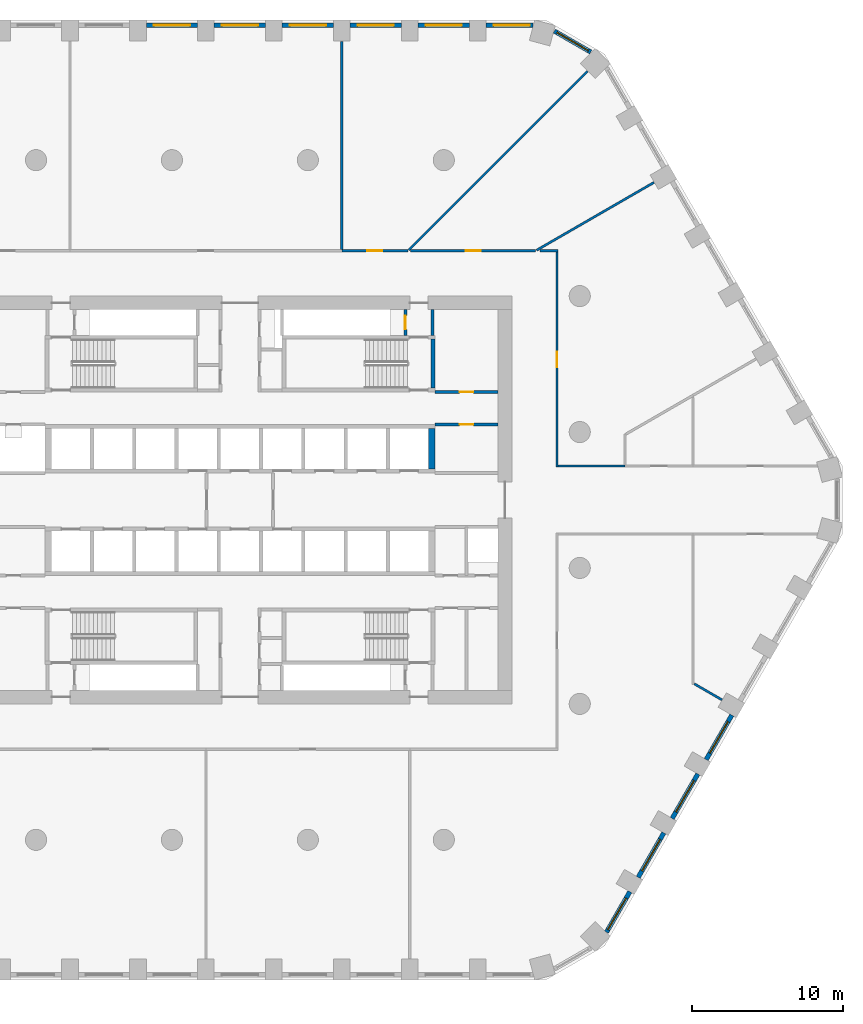
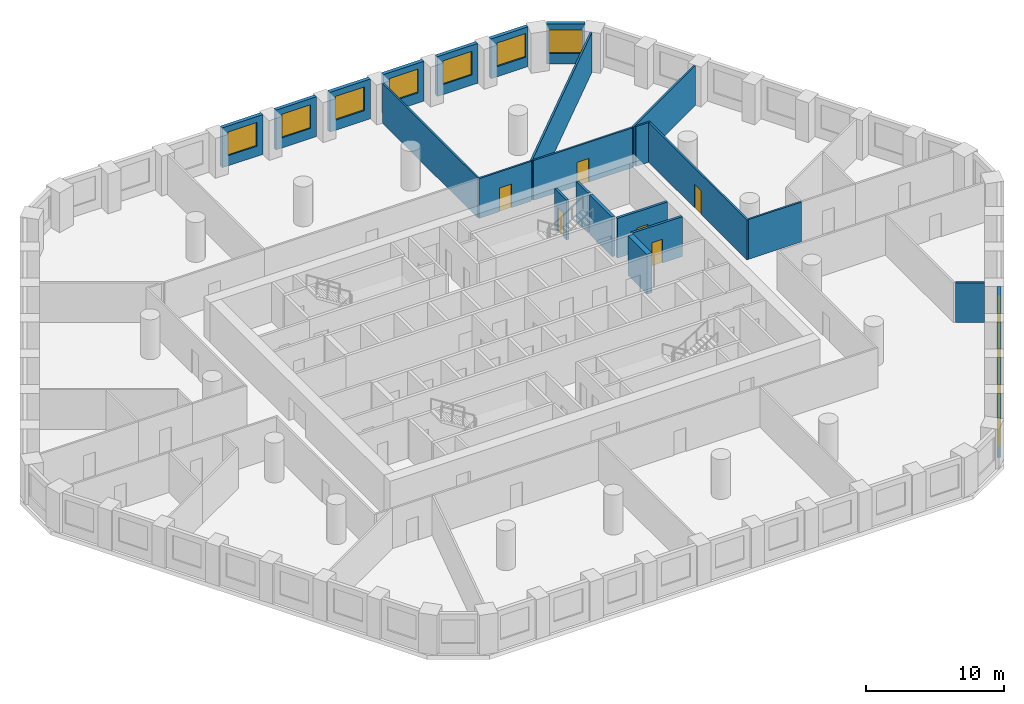
# One storey, part 7 of 10: 26 walls, 11 windows, 6 doors, 17 openings.
"""IFC4 building model written with IfcOpenShell, lengths in metres."""

from ifc_helpers import new_model, si_unit, direction, frame, frame_2d, origin, place, context, subcontext, project, spatial, polyline, rectangle, outline, extrude, material, layer, layer_set, type_object, element, fill, save


model = new_model("IFC4")

# Units and contexts
model_context = context("Model", 3, precision=1e-05, world=origin(), true_north=direction((0.0, 1.0)))
body_context = subcontext(model_context, "Body", "Model", "MODEL_VIEW")
ifc_project = project(units=[si_unit("LENGTHUNIT", "METRE"), si_unit("AREAUNIT", "SQUARE_METRE"), si_unit("VOLUMEUNIT", "CUBIC_METRE"), si_unit("PLANEANGLEUNIT", "RADIAN"), si_unit("MASSUNIT", "GRAM", prefix="KILO")], contexts=[model_context])

# Site, building, storey
site_placement = place(None, origin())
site = spatial("IfcSite", under=ifc_project, at=site_placement, CompositionType="ELEMENT")
building_placement = place(site_placement, origin())
building = spatial("IfcBuilding", under=site, at=building_placement, Name="Dhurran Vertical Campus", CompositionType="ELEMENT")
storey_placement = place(building_placement, frame((0.0, 0.0, 33.89990234375)))
storey = spatial("IfcBuildingStorey", under=building, at=storey_placement, Name="L07", CompositionType="ELEMENT", Elevation=33.89990234375)

# Wall, opening, window
ifc_material_1 = material(Name="Precast concrete C50/60", Category="concrete")
ifc_layer_1 = layer(ifc_material_1, 0.300048828125)
ifc_layer_set_1 = layer_set([ifc_layer_1], Name="Precast concrete C50/60")
wall_type_1 = type_object("IfcWallType", Name="Precast spandrel wall 300", PredefinedType="SOLIDWALL", material=ifc_layer_set_1)
wall_1_placement = place(storey_placement, frame((24.2734375, -28.611083984375, 0.0), z_axis=(0.0, 0.0, 1.0), x_axis=(0.499995950774, 0.866027741594, 0.0)))
wall_1 = element("IfcWall", 1, at=wall_1_placement, inside=storey, type_object=wall_type_1, Name="EW1 L07.10", PredefinedType="SOLIDWALL", context=body_context, shape_type="SweptSolid", body=[
    extrude(rectangle(XDim=3.0908203125, YDim=0.300048828125, at=frame_2d((1.54541015625, 0.0))), origin(), (0.0, 0.0, 1.0), 3.525146484375),
])
opening_1_placement = place(wall_1_placement, frame((0.191162109375, 0.0, 0.89990234375)))
opening_1 = element("IfcOpeningElement", 2, at=opening_1_placement, cuts=wall_1, Name="Opening WT1", PredefinedType="OPENING", context=body_context, shape_type="SweptSolid", body=[
    extrude(rectangle(XDim=2.39990234375, YDim=2.10009765625, at=frame_2d((1.199951171875, 1.050048828125))), frame((0.0, 0.159912109375, 0.0), z_axis=(0.0, -1.0, 0.0), x_axis=(1.0, 0.0, 0.0)), (0.0, 0.0, 1.0), 0.320068359375),
])
ifc_material_2 = material(Name="Aluminium frame with solar-control glass", Category="aluminium")
window_type = type_object("IfcWindowType", Name="Punched window 2400 x 2100", PartitioningType="SINGLE_PANEL", PredefinedType="WINDOW", material=ifc_material_2)
window_1_placement = place(opening_1_placement, origin())
window_1 = element("IfcWindow", 3, at=window_1_placement, inside=storey, type_object=window_type, Name="WT1 L07.10", OverallHeight=2.10009765625, OverallWidth=2.39990234375, PartitioningType="SINGLE_PANEL", PredefinedType="WINDOW", context=body_context, shape_type="SweptSolid", body=[
    extrude(rectangle(XDim=2.39990234375, YDim=2.10009765625, at=frame_2d((1.199951171875, 1.050048828125))), frame((0.0, 0.030029296875, 0.0), z_axis=(0.0, -1.0, 0.0), x_axis=(1.0, 0.0, 0.0)), (0.0, 0.0, 1.0), 0.06005859375),
])
fill(opening_1, window_1)

wall_2_placement = place(storey_placement, frame((26.369384765625, -24.98095703125, 0.0), z_axis=(0.0, 0.0, 1.0), x_axis=(0.499993955907, 0.866028893315, 0.0)))
wall_2 = element("IfcWall", 4, at=wall_2_placement, inside=storey, type_object=wall_type_1, Name="EW1 L07.11", PredefinedType="SOLIDWALL", context=body_context, shape_type="SweptSolid", body=[
    extrude(rectangle(XDim=3.39892578125, YDim=0.300048828125, at=frame_2d((1.699462890625, 0.0))), origin(), (0.0, 0.0, 1.0), 3.525146484375),
])
opening_2_placement = place(wall_2_placement, frame((0.49951171875, 0.0, 0.89990234375)))
opening_2 = element("IfcOpeningElement", 5, at=opening_2_placement, cuts=wall_2, Name="Opening WT1", PredefinedType="OPENING", context=body_context, shape_type="SweptSolid", body=[
    extrude(rectangle(XDim=2.39990234375, YDim=2.10009765625, at=frame_2d((1.199951171875, 1.050048828125))), frame((0.0, 0.159912109375, 0.0), z_axis=(0.0, -1.0, 0.0), x_axis=(1.0, 0.0, 0.0)), (0.0, 0.0, 1.0), 0.320068359375),
])
window_2_placement = place(opening_2_placement, origin())
window_2 = element("IfcWindow", 6, at=window_2_placement, inside=storey, type_object=window_type, Name="WT1 L07.11", OverallHeight=2.10009765625, OverallWidth=2.39990234375, PartitioningType="SINGLE_PANEL", PredefinedType="WINDOW", context=body_context, shape_type="SweptSolid", body=[
    extrude(rectangle(XDim=2.39990234375, YDim=2.10009765625, at=frame_2d((1.199951171875, 1.050048828125))), frame((0.0, 0.030029296875, 0.0), z_axis=(0.0, -1.0, 0.0), x_axis=(1.0, 0.0, 0.0)), (0.0, 0.0, 1.0), 0.06005859375),
])
fill(opening_2, window_2)

wall_3_placement = place(storey_placement, frame((28.619384765625, -21.083740234375, 0.0), z_axis=(0.0, 0.0, 1.0), x_axis=(0.499993955907, 0.866028893315, 0.0)))
wall_3 = element("IfcWall", 7, at=wall_3_placement, inside=storey, type_object=wall_type_1, Name="EW1 L07.12", PredefinedType="SOLIDWALL", context=body_context, shape_type="SweptSolid", body=[
    extrude(rectangle(XDim=3.39892578125, YDim=0.300048828125, at=frame_2d((1.699462890625, 0.0))), origin(), (0.0, 0.0, 1.0), 3.525146484375),
])
opening_3_placement = place(wall_3_placement, frame((0.49951171875, 0.0, 0.89990234375)))
opening_3 = element("IfcOpeningElement", 8, at=opening_3_placement, cuts=wall_3, Name="Opening WT1", PredefinedType="OPENING", context=body_context, shape_type="SweptSolid", body=[
    extrude(rectangle(XDim=2.39990234375, YDim=2.10009765625, at=frame_2d((1.199951171875, 1.050048828125))), frame((0.0, 0.159912109375, 0.0), z_axis=(0.0, -1.0, 0.0), x_axis=(1.0, 0.0, 0.0)), (0.0, 0.0, 1.0), 0.320068359375),
])
window_3_placement = place(opening_3_placement, origin())
window_3 = element("IfcWindow", 9, at=window_3_placement, inside=storey, type_object=window_type, Name="WT1 L07.12", OverallHeight=2.10009765625, OverallWidth=2.39990234375, PartitioningType="SINGLE_PANEL", PredefinedType="WINDOW", context=body_context, shape_type="SweptSolid", body=[
    extrude(rectangle(XDim=2.39990234375, YDim=2.10009765625, at=frame_2d((1.199951171875, 1.050048828125))), frame((0.0, 0.030029296875, 0.0), z_axis=(0.0, -1.0, 0.0), x_axis=(1.0, 0.0, 0.0)), (0.0, 0.0, 1.0), 0.06005859375),
])
fill(opening_3, window_3)

wall_4_placement = place(storey_placement, frame((30.869384765625, -17.186767578125, 0.0), z_axis=(0.0, 0.0, 1.0), x_axis=(0.499993955907, 0.866028893315, 0.0)))
wall_4 = element("IfcWall", 10, at=wall_4_placement, inside=storey, type_object=wall_type_1, Name="EW1 L07.13", PredefinedType="SOLIDWALL", context=body_context, shape_type="SweptSolid", body=[
    extrude(rectangle(XDim=3.39892578125, YDim=0.300048828125, at=frame_2d((1.699462890625, 0.0))), origin(), (0.0, 0.0, 1.0), 3.525146484375),
])
opening_4_placement = place(wall_4_placement, frame((0.49951171875, 0.0, 0.89990234375)))
opening_4 = element("IfcOpeningElement", 11, at=opening_4_placement, cuts=wall_4, Name="Opening WT1", PredefinedType="OPENING", context=body_context, shape_type="SweptSolid", body=[
    extrude(rectangle(XDim=2.39990234375, YDim=2.10009765625, at=frame_2d((1.199951171875, 1.050048828125))), frame((0.0, 0.159912109375, 0.0), z_axis=(0.0, -1.0, 0.0), x_axis=(1.0, 0.0, 0.0)), (0.0, 0.0, 1.0), 0.320068359375),
])
window_4_placement = place(opening_4_placement, origin())
window_4 = element("IfcWindow", 12, at=window_4_placement, inside=storey, type_object=window_type, Name="WT1 L07.13", OverallHeight=2.10009765625, OverallWidth=2.39990234375, PartitioningType="SINGLE_PANEL", PredefinedType="WINDOW", context=body_context, shape_type="SweptSolid", body=[
    extrude(rectangle(XDim=2.39990234375, YDim=2.10009765625, at=frame_2d((1.199951171875, 1.050048828125))), frame((0.0, 0.030029296875, 0.0), z_axis=(0.0, -1.0, 0.0), x_axis=(1.0, 0.0, 0.0)), (0.0, 0.0, 1.0), 0.06005859375),
])
fill(opening_4, window_4)

wall_5_placement = place(storey_placement, frame((23.228271484375, 29.656005859375, 0.0), z_axis=(0.0, 0.0, 1.0), x_axis=(-0.866020456713, 0.500008568482, 0.0)))
wall_5 = element("IfcWall", 13, at=wall_5_placement, inside=storey, type_object=wall_type_1, Name="EW1 L07.25", PredefinedType="SOLIDWALL", context=body_context, shape_type="SweptSolid", body=[
    extrude(rectangle(XDim=2.7822265625, YDim=0.300048828125, at=frame_2d((1.39111328125, 0.0))), origin(), (0.0, 0.0, 1.0), 3.525146484375),
])
opening_5_placement = place(wall_5_placement, frame((0.191162109375, 0.0, 0.89990234375)))
opening_5 = element("IfcOpeningElement", 14, at=opening_5_placement, cuts=wall_5, Name="Opening WT1", PredefinedType="OPENING", context=body_context, shape_type="SweptSolid", body=[
    extrude(rectangle(XDim=2.39990234375, YDim=2.10009765625, at=frame_2d((1.199951171875, 1.050048828125))), frame((0.0, 0.159912109375, 0.0), z_axis=(0.0, -1.0, 0.0), x_axis=(1.0, 0.0, 0.0)), (0.0, 0.0, 1.0), 0.320068359375),
])
window_5_placement = place(opening_5_placement, origin())
window_5 = element("IfcWindow", 15, at=window_5_placement, inside=storey, type_object=window_type, Name="WT1 L07.25", OverallHeight=2.10009765625, OverallWidth=2.39990234375, PartitioningType="SINGLE_PANEL", PredefinedType="WINDOW", context=body_context, shape_type="SweptSolid", body=[
    extrude(rectangle(XDim=2.39990234375, YDim=2.10009765625, at=frame_2d((1.199951171875, 1.050048828125))), frame((0.0, 0.030029296875, 0.0), z_axis=(0.0, -1.0, 0.0), x_axis=(1.0, 0.0, 0.0)), (0.0, 0.0, 1.0), 0.06005859375),
])
fill(opening_5, window_5)

wall_6_placement = place(storey_placement, frame((19.39111328125, 31.4296875, 0.0), z_axis=(0.0, 0.0, 1.0), x_axis=(-1.0, 0.0, 0.0)))
wall_6 = element("IfcWall", 16, at=wall_6_placement, inside=storey, type_object=wall_type_1, Name="EW1 L07.26", PredefinedType="SOLIDWALL", context=body_context, shape_type="SweptSolid", body=[
    extrude(rectangle(XDim=3.090576171875, YDim=0.300048828125, at=frame_2d((1.54541015625, 0.0))), origin(), (0.0, 0.0, 1.0), 3.525146484375),
])
opening_6_placement = place(wall_6_placement, frame((0.191162109375, 0.0, 0.89990234375)))
opening_6 = element("IfcOpeningElement", 17, at=opening_6_placement, cuts=wall_6, Name="Opening WT1", PredefinedType="OPENING", context=body_context, shape_type="SweptSolid", body=[
    extrude(rectangle(XDim=2.39990234375, YDim=2.10009765625, at=frame_2d((1.199951171875, 1.050048828125))), frame((0.0, 0.159912109375, 0.0), z_axis=(0.0, -1.0, 0.0), x_axis=(1.0, 0.0, 0.0)), (0.0, 0.0, 1.0), 0.320068359375),
])
window_6_placement = place(opening_6_placement, origin())
window_6 = element("IfcWindow", 18, at=window_6_placement, inside=storey, type_object=window_type, Name="WT1 L07.26", OverallHeight=2.10009765625, OverallWidth=2.39990234375, PartitioningType="SINGLE_PANEL", PredefinedType="WINDOW", context=body_context, shape_type="SweptSolid", body=[
    extrude(rectangle(XDim=2.39990234375, YDim=2.10009765625, at=frame_2d((1.199951171875, 1.050048828125))), frame((0.0, 0.030029296875, 0.0), z_axis=(0.0, -1.0, 0.0), x_axis=(1.0, 0.0, 0.0)), (0.0, 0.0, 1.0), 0.06005859375),
])
fill(opening_6, window_6)

wall_7_placement = place(storey_placement, frame((15.199462890625, 31.4296875, 0.0), z_axis=(0.0, 0.0, 1.0), x_axis=(-1.0, 0.0, 0.0)))
wall_7 = element("IfcWall", 19, at=wall_7_placement, inside=storey, type_object=wall_type_1, Name="EW1 L07.27", PredefinedType="SOLIDWALL", context=body_context, shape_type="SweptSolid", body=[
    extrude(rectangle(XDim=3.39892578125, YDim=0.300048828125, at=frame_2d((1.699462890625, 0.0))), origin(), (0.0, 0.0, 1.0), 3.525146484375),
])
opening_7_placement = place(wall_7_placement, frame((0.49951171875, 0.0, 0.89990234375)))
opening_7 = element("IfcOpeningElement", 20, at=opening_7_placement, cuts=wall_7, Name="Opening WT1", PredefinedType="OPENING", context=body_context, shape_type="SweptSolid", body=[
    extrude(rectangle(XDim=2.39990234375, YDim=2.10009765625, at=frame_2d((1.199951171875, 1.050048828125))), frame((0.0, 0.159912109375, 0.0), z_axis=(0.0, -1.0, 0.0), x_axis=(1.0, 0.0, 0.0)), (0.0, 0.0, 1.0), 0.320068359375),
])
window_7_placement = place(opening_7_placement, origin())
window_7 = element("IfcWindow", 21, at=window_7_placement, inside=storey, type_object=window_type, Name="WT1 L07.27", OverallHeight=2.10009765625, OverallWidth=2.39990234375, PartitioningType="SINGLE_PANEL", PredefinedType="WINDOW", context=body_context, shape_type="SweptSolid", body=[
    extrude(rectangle(XDim=2.39990234375, YDim=2.10009765625, at=frame_2d((1.199951171875, 1.050048828125))), frame((0.0, 0.030029296875, 0.0), z_axis=(0.0, -1.0, 0.0), x_axis=(1.0, 0.0, 0.0)), (0.0, 0.0, 1.0), 0.06005859375),
])
fill(opening_7, window_7)

wall_8_placement = place(storey_placement, frame((10.699462890625, 31.4296875, 0.0), z_axis=(0.0, 0.0, 1.0), x_axis=(-1.0, 0.0, 0.0)))
wall_8 = element("IfcWall", 22, at=wall_8_placement, inside=storey, type_object=wall_type_1, Name="EW1 L07.28", PredefinedType="SOLIDWALL", context=body_context, shape_type="SweptSolid", body=[
    extrude(rectangle(XDim=3.39892578125, YDim=0.300048828125, at=frame_2d((1.699462890625, 0.0))), origin(), (0.0, 0.0, 1.0), 3.525146484375),
])
opening_8_placement = place(wall_8_placement, frame((0.49951171875, 0.0, 0.89990234375)))
opening_8 = element("IfcOpeningElement", 23, at=opening_8_placement, cuts=wall_8, Name="Opening WT1", PredefinedType="OPENING", context=body_context, shape_type="SweptSolid", body=[
    extrude(rectangle(XDim=2.39990234375, YDim=2.10009765625, at=frame_2d((1.199951171875, 1.050048828125))), frame((0.0, 0.159912109375, 0.0), z_axis=(0.0, -1.0, 0.0), x_axis=(1.0, 0.0, 0.0)), (0.0, 0.0, 1.0), 0.320068359375),
])
window_8_placement = place(opening_8_placement, origin())
window_8 = element("IfcWindow", 24, at=window_8_placement, inside=storey, type_object=window_type, Name="WT1 L07.28", OverallHeight=2.10009765625, OverallWidth=2.39990234375, PartitioningType="SINGLE_PANEL", PredefinedType="WINDOW", context=body_context, shape_type="SweptSolid", body=[
    extrude(rectangle(XDim=2.39990234375, YDim=2.10009765625, at=frame_2d((1.199951171875, 1.050048828125))), frame((0.0, 0.030029296875, 0.0), z_axis=(0.0, -1.0, 0.0), x_axis=(1.0, 0.0, 0.0)), (0.0, 0.0, 1.0), 0.06005859375),
])
fill(opening_8, window_8)

wall_9_placement = place(storey_placement, frame((6.199462890625, 31.4296875, 0.0), z_axis=(0.0, 0.0, 1.0), x_axis=(-1.0, 0.0, 0.0)))
wall_9 = element("IfcWall", 25, at=wall_9_placement, inside=storey, type_object=wall_type_1, Name="EW1 L07.29", PredefinedType="SOLIDWALL", context=body_context, shape_type="SweptSolid", body=[
    extrude(rectangle(XDim=3.39892578125, YDim=0.300048828125, at=frame_2d((1.699462890625, 0.0))), origin(), (0.0, 0.0, 1.0), 3.525146484375),
])
opening_9_placement = place(wall_9_placement, frame((0.49951171875, 0.0, 0.89990234375)))
opening_9 = element("IfcOpeningElement", 26, at=opening_9_placement, cuts=wall_9, Name="Opening WT1", PredefinedType="OPENING", context=body_context, shape_type="SweptSolid", body=[
    extrude(rectangle(XDim=2.39990234375, YDim=2.10009765625, at=frame_2d((1.199951171875, 1.050048828125))), frame((0.0, 0.159912109375, 0.0), z_axis=(0.0, -1.0, 0.0), x_axis=(1.0, 0.0, 0.0)), (0.0, 0.0, 1.0), 0.320068359375),
])
window_9_placement = place(opening_9_placement, origin())
window_9 = element("IfcWindow", 27, at=window_9_placement, inside=storey, type_object=window_type, Name="WT1 L07.29", OverallHeight=2.10009765625, OverallWidth=2.39990234375, PartitioningType="SINGLE_PANEL", PredefinedType="WINDOW", context=body_context, shape_type="SweptSolid", body=[
    extrude(rectangle(XDim=2.39990234375, YDim=2.10009765625, at=frame_2d((1.199951171875, 1.050048828125))), frame((0.0, 0.030029296875, 0.0), z_axis=(0.0, -1.0, 0.0), x_axis=(1.0, 0.0, 0.0)), (0.0, 0.0, 1.0), 0.06005859375),
])
fill(opening_9, window_9)

wall_10_placement = place(storey_placement, frame((1.699462890625, 31.4296875, 0.0), z_axis=(0.0, 0.0, 1.0), x_axis=(-1.0, 0.0, 0.0)))
wall_10 = element("IfcWall", 28, at=wall_10_placement, inside=storey, type_object=wall_type_1, Name="EW1 L07.30", PredefinedType="SOLIDWALL", context=body_context, shape_type="SweptSolid", body=[
    extrude(rectangle(XDim=3.39892578125, YDim=0.300048828125, at=frame_2d((1.699462890625, 0.0))), origin(), (0.0, 0.0, 1.0), 3.525146484375),
])
opening_10_placement = place(wall_10_placement, frame((0.49951171875, 0.0, 0.89990234375)))
opening_10 = element("IfcOpeningElement", 29, at=opening_10_placement, cuts=wall_10, Name="Opening WT1", PredefinedType="OPENING", context=body_context, shape_type="SweptSolid", body=[
    extrude(rectangle(XDim=2.39990234375, YDim=2.10009765625, at=frame_2d((1.199951171875, 1.050048828125))), frame((0.0, 0.159912109375, 0.0), z_axis=(0.0, -1.0, 0.0), x_axis=(1.0, 0.0, 0.0)), (0.0, 0.0, 1.0), 0.320068359375),
])
window_10_placement = place(opening_10_placement, origin())
window_10 = element("IfcWindow", 30, at=window_10_placement, inside=storey, type_object=window_type, Name="WT1 L07.30", OverallHeight=2.10009765625, OverallWidth=2.39990234375, PartitioningType="SINGLE_PANEL", PredefinedType="WINDOW", context=body_context, shape_type="SweptSolid", body=[
    extrude(rectangle(XDim=2.39990234375, YDim=2.10009765625, at=frame_2d((1.199951171875, 1.050048828125))), frame((0.0, 0.030029296875, 0.0), z_axis=(0.0, -1.0, 0.0), x_axis=(1.0, 0.0, 0.0)), (0.0, 0.0, 1.0), 0.06005859375),
])
fill(opening_10, window_10)

wall_11_placement = place(storey_placement, frame((-2.800537109375, 31.4296875, 0.0), z_axis=(0.0, 0.0, 1.0), x_axis=(-1.0, 0.0, 0.0)))
wall_11 = element("IfcWall", 31, at=wall_11_placement, inside=storey, type_object=wall_type_1, Name="EW1 L07.31", PredefinedType="SOLIDWALL", context=body_context, shape_type="SweptSolid", body=[
    extrude(rectangle(XDim=3.39892578125, YDim=0.300048828125, at=frame_2d((1.699462890625, 0.0))), origin(), (0.0, 0.0, 1.0), 3.525146484375),
])
opening_11_placement = place(wall_11_placement, frame((0.49951171875, 0.0, 0.89990234375)))
opening_11 = element("IfcOpeningElement", 32, at=opening_11_placement, cuts=wall_11, Name="Opening WT1", PredefinedType="OPENING", context=body_context, shape_type="SweptSolid", body=[
    extrude(rectangle(XDim=2.39990234375, YDim=2.10009765625, at=frame_2d((1.199951171875, 1.050048828125))), frame((0.0, 0.159912109375, 0.0), z_axis=(0.0, -1.0, 0.0), x_axis=(1.0, 0.0, 0.0)), (0.0, 0.0, 1.0), 0.320068359375),
])
window_11_placement = place(opening_11_placement, origin())
window_11 = element("IfcWindow", 33, at=window_11_placement, inside=storey, type_object=window_type, Name="WT1 L07.31", OverallHeight=2.10009765625, OverallWidth=2.39990234375, PartitioningType="SINGLE_PANEL", PredefinedType="WINDOW", context=body_context, shape_type="SweptSolid", body=[
    extrude(rectangle(XDim=2.39990234375, YDim=2.10009765625, at=frame_2d((1.199951171875, 1.050048828125))), frame((0.0, 0.030029296875, 0.0), z_axis=(0.0, -1.0, 0.0), x_axis=(1.0, 0.0, 0.0)), (0.0, 0.0, 1.0), 0.06005859375),
])
fill(opening_11, window_11)

# Wall
ifc_material_3 = material(Name="Fire-rated masonry blockwork", Category="masonry")
ifc_layer_2 = layer(ifc_material_3, 0.199951171875)
ifc_layer_set_2 = layer_set([ifc_layer_2], Name="Fire-rated masonry blockwork")
wall_type_2 = type_object("IfcWallType", Name="co-FIRE-PARTITION-200", PredefinedType="PARTITIONING", material=ifc_layer_set_2)
wall_12_placement = place(storey_placement, frame((12.75, 10.89990234375, 0.0), z_axis=(0.0, 0.0, 1.0), x_axis=(0.0, 1.0, 0.0)))
element("IfcWall", 34, at=wall_12_placement, inside=storey, type_object=wall_type_2, Name="Core partition pass-ST2-o L07", PredefinedType="PARTITIONING", context=body_context, shape_type="SweptSolid", body=[
    extrude(rectangle(XDim=1.7001953125, YDim=0.199951171875, at=frame_2d((0.85009765625, 0.0))), origin(), (0.0, 0.0, 1.0), 3.525146484375),
])

# Wall, opening, door
wall_13_placement = place(storey_placement, frame((10.949951171875, 10.89990234375, 0.0), z_axis=(0.0, 0.0, 1.0), x_axis=(0.0, 1.0, 0.0)))
wall_13 = element("IfcWall", 35, at=wall_13_placement, inside=storey, type_object=wall_type_2, Name="Core partition pass-ST2-i L07", PredefinedType="PARTITIONING", context=body_context, shape_type="SweptSolid", body=[
    extrude(rectangle(XDim=1.7001953125, YDim=0.199951171875, at=frame_2d((0.85009765625, 0.0))), origin(), (0.0, 0.0, 1.0), 3.525146484375),
])
opening_12_placement = place(wall_13_placement, frame((0.39990234375, 0.0, 0.0)))
opening_12 = element("IfcOpeningElement", 36, at=opening_12_placement, cuts=wall_13, Name="Opening T01-C10", PredefinedType="OPENING", context=body_context, shape_type="SweptSolid", body=[
    extrude(rectangle(XDim=0.89990234375, YDim=2.10009765625, at=frame_2d((0.449951171875, 1.050048828125))), frame((0.0, 0.10986328125, 0.0), z_axis=(0.0, -1.0, 0.0), x_axis=(1.0, 0.0, 0.0)), (0.0, 0.0, 1.0), 0.219970703125),
])
ifc_material_4 = material(Name="Fire-rated timber door set", Category="wood")
door_type_1 = type_object("IfcDoorType", Name="co-D-ROOM 900x2100", OperationType="SINGLE_SWING_LEFT", PredefinedType="DOOR", material=ifc_material_4)
door_1_placement = place(opening_12_placement, origin())
door_1 = element("IfcDoor", 37, at=door_1_placement, inside=storey, type_object=door_type_1, Name="Riser room door L07", OperationType="SINGLE_SWING_LEFT", OverallHeight=2.10009765625, OverallWidth=0.89990234375, PredefinedType="DOOR", context=body_context, shape_type="SweptSolid", body=[
    extrude(rectangle(XDim=0.89990234375, YDim=2.10009765625, at=frame_2d((0.449951171875, 1.050048828125))), frame((0.0, 0.02490234375, 0.0), z_axis=(0.0, -1.0, 0.0), x_axis=(1.0, 0.0, 0.0)), (0.0, 0.0, 1.0), 0.050048828125),
])
fill(opening_12, door_1)

wall_14_placement = place(storey_placement, frame((12.89990234375, 7.14990234375, 0.0), z_axis=(0.0, 0.0, 1.0), x_axis=(1.0, 0.0, 0.0)))
wall_14 = element("IfcWall", 38, at=wall_14_placement, inside=storey, type_object=wall_type_2, Name="Core partition en-NE-w L07", PredefinedType="PARTITIONING", context=body_context, shape_type="SweptSolid", body=[
    extrude(rectangle(XDim=4.2001953125, YDim=0.199951171875, at=frame_2d((2.10009765625, 0.0))), origin(), (0.0, 0.0, 1.0), 3.525146484375),
])
opening_13_placement = place(wall_14_placement, frame((1.64990234375, 0.0, 0.0)))
opening_13 = element("IfcOpeningElement", 39, at=opening_13_placement, cuts=wall_14, Name="Opening T01-C15", PredefinedType="OPENING", context=body_context, shape_type="SweptSolid", body=[
    extrude(rectangle(XDim=0.89990234375, YDim=2.10009765625, at=frame_2d((0.449951171875, 1.050048828125))), frame((0.0, 0.10986328125, 0.0), z_axis=(0.0, -1.0, 0.0), x_axis=(1.0, 0.0, 0.0)), (0.0, 0.0, 1.0), 0.219970703125),
])
door_2_placement = place(opening_13_placement, origin())
door_2 = element("IfcDoor", 40, at=door_2_placement, inside=storey, type_object=door_type_1, Name="Plant room door L07", OperationType="SINGLE_SWING_LEFT", OverallHeight=2.10009765625, OverallWidth=0.89990234375, PredefinedType="DOOR", context=body_context, shape_type="SweptSolid", body=[
    extrude(rectangle(XDim=0.89990234375, YDim=2.10009765625, at=frame_2d((0.449951171875, 1.050048828125))), frame((0.0, 0.02490234375, 0.0), z_axis=(0.0, -1.0, 0.0), x_axis=(1.0, 0.0, 0.0)), (0.0, 0.0, 1.0), 0.050048828125),
])
fill(opening_13, door_2)

wall_15_placement = place(storey_placement, frame((12.89990234375, 5.0, 0.0), z_axis=(0.0, 0.0, 1.0), x_axis=(1.0, 0.0, 0.0)))
wall_15 = element("IfcWall", 41, at=wall_15_placement, inside=storey, type_object=wall_type_2, Name="Core partition es-NE-w L07", PredefinedType="PARTITIONING", context=body_context, shape_type="SweptSolid", body=[
    extrude(rectangle(XDim=4.2001953125, YDim=0.199951171875, at=frame_2d((2.10009765625, 0.0))), origin(), (0.0, 0.0, 1.0), 3.525146484375),
])
opening_14_placement = place(wall_15_placement, frame((1.64990234375, 0.0, 0.0)))
opening_14 = element("IfcOpeningElement", 42, at=opening_14_placement, cuts=wall_15, Name="Opening T01-C16", PredefinedType="OPENING", context=body_context, shape_type="SweptSolid", body=[
    extrude(rectangle(XDim=0.89990234375, YDim=2.10009765625, at=frame_2d((0.449951171875, 1.050048828125))), frame((0.0, 0.10986328125, 0.0), z_axis=(0.0, -1.0, 0.0), x_axis=(1.0, 0.0, 0.0)), (0.0, 0.0, 1.0), 0.219970703125),
])
door_3_placement = place(opening_14_placement, origin())
door_3 = element("IfcDoor", 43, at=door_3_placement, inside=storey, type_object=door_type_1, Name="Store door L07", OperationType="SINGLE_SWING_LEFT", OverallHeight=2.10009765625, OverallWidth=0.89990234375, PredefinedType="DOOR", context=body_context, shape_type="SweptSolid", body=[
    extrude(rectangle(XDim=0.89990234375, YDim=2.10009765625, at=frame_2d((0.449951171875, 1.050048828125))), frame((0.0, 0.02490234375, 0.0), z_axis=(0.0, -1.0, 0.0), x_axis=(1.0, 0.0, 0.0)), (0.0, 0.0, 1.0), 0.050048828125),
])
fill(opening_14, door_3)

# Walls
ifc_material_5 = material(Name="Concrete C50/60", Category="concrete")
ifc_layer_3 = layer(ifc_material_5, 0.25)
ifc_layer_set_3 = layer_set([ifc_layer_3], Name="Concrete C50/60")
wall_type_3 = type_object("IfcWallType", Name="co-SHAFT-MASS-250", PredefinedType="SHEAR", material=ifc_layer_set_3)
wall_16_placement = place(storey_placement, origin())
element("IfcWall", 44, at=wall_16_placement, inside=storey, type_object=wall_type_3, Name="Lift shaft wall N L07 11", PredefinedType="SHEAR", context=body_context, shape_type="SweptSolid", body=[
    extrude(outline(polyline([(12.47509765625, 2.050048828125), (12.89990234375, 2.050048828125), (12.89990234375, 4.75), (12.47509765625, 4.75), (12.47509765625, 2.050048828125)])), origin(), (0.0, 0.0, 1.0), 3.525146484375),
])
ifc_material_6 = material(Name="Concrete C40/50", Category="concrete")
ifc_layer_4 = layer(ifc_material_6, 0.25)
ifc_layer_set_4 = layer_set([ifc_layer_4], Name="Concrete C40/50")
wall_type_4 = type_object("IfcWallType", Name="co-STAIR-WALL-250", PredefinedType="SHEAR", material=ifc_layer_set_4)
wall_17_placement = place(storey_placement, frame((12.77490234375, 7.39990234375, 0.0), z_axis=(0.0, 0.0, 1.0), x_axis=(0.0, 1.0, 0.0)))
element("IfcWall", 45, at=wall_17_placement, inside=storey, type_object=wall_type_4, Name="Stair ST2 enclosure wall L07", PredefinedType="SHEAR", context=body_context, shape_type="SweptSolid", body=[
    extrude(rectangle(XDim=3.25, YDim=0.25, at=frame_2d((1.625, 0.0))), origin(), (0.0, 0.0, 1.0), 3.525146484375),
])

# Wall, opening, door
ifc_material_7 = material(Name="Gypsum board corridor wall on steel studs", Category="steel")
ifc_layer_5 = layer(ifc_material_7, 0.14990234375)
ifc_layer_set_5 = layer_set([ifc_layer_5], Name="Gypsum board corridor wall on steel studs")
wall_type_5 = type_object("IfcWallType", Name="fl-CW-150 corridor wall", PredefinedType="PARTITIONING", material=ifc_layer_set_5)
wall_18_placement = place(storey_placement, frame((11.116943359375, 16.5, 0.0), z_axis=(0.0, 0.0, 1.0), x_axis=(-1.0, 0.0, 0.0)))
wall_18 = element("IfcWall", 46, at=wall_18_placement, inside=storey, type_object=wall_type_5, Name="Partition 07-30", PredefinedType="PARTITIONING", context=body_context, shape_type="SweptSolid", body=[
    extrude(rectangle(XDim=4.366943359375, YDim=0.14990234375, at=frame_2d((2.18359375, 0.0))), origin(), (0.0, 0.0, 1.0), 3.525146484375),
])
opening_15_placement = place(wall_18_placement, frame((1.68359375, 0.0, 0.0)))
opening_15 = element("IfcOpeningElement", 47, at=opening_15_placement, cuts=wall_18, Name="Opening T01.12", PredefinedType="OPENING", context=body_context, shape_type="SweptSolid", body=[
    extrude(rectangle(XDim=1.0, YDim=2.10009765625, at=frame_2d((0.5, 1.050048828125))), frame((0.0, 0.0849609375, 0.0), z_axis=(0.0, -1.0, 0.0), x_axis=(1.0, 0.0, 0.0)), (0.0, 0.0, 1.0), 0.169921875),
])
ifc_material_8 = material(Name="Solid-core timber door set, fire-rated", Category="wood")
door_type_2 = type_object("IfcDoorType", Name="fl-D-1000x2100", OperationType="SINGLE_SWING_LEFT", PredefinedType="DOOR", material=ifc_material_8)
door_4_placement = place(opening_15_placement, origin())
door_4 = element("IfcDoor", 48, at=door_4_placement, inside=storey, type_object=door_type_2, Name="Door 07.12", OperationType="SINGLE_SWING_LEFT", OverallHeight=2.10009765625, OverallWidth=1.0, PredefinedType="DOOR", context=body_context, shape_type="SweptSolid", body=[
    extrude(rectangle(XDim=1.0, YDim=2.10009765625, at=frame_2d((0.5, 1.050048828125))), frame((0.0, 0.02490234375, 0.0), z_axis=(0.0, -1.0, 0.0), x_axis=(1.0, 0.0, 0.0)), (0.0, 0.0, 1.0), 0.050048828125),
])
fill(opening_15, door_4)

wall_19_placement = place(storey_placement, frame((19.5791015625, 16.5, 0.0), z_axis=(0.0, 0.0, 1.0), x_axis=(-1.0, 0.0, 0.0)))
wall_19 = element("IfcWall", 49, at=wall_19_placement, inside=storey, type_object=wall_type_5, Name="Partition 07-31", PredefinedType="PARTITIONING", context=body_context, shape_type="SweptSolid", body=[
    extrude(rectangle(XDim=8.287109375, YDim=0.14990234375, at=frame_2d((4.1435546875, 0.0))), origin(), (0.0, 0.0, 1.0), 3.525146484375),
])
opening_16_placement = place(wall_19_placement, frame((3.6435546875, 0.0, 0.0)))
opening_16 = element("IfcOpeningElement", 50, at=opening_16_placement, cuts=wall_19, Name="Opening T01.13", PredefinedType="OPENING", context=body_context, shape_type="SweptSolid", body=[
    extrude(rectangle(XDim=1.0, YDim=2.10009765625, at=frame_2d((0.5, 1.050048828125))), frame((0.0, 0.0849609375, 0.0), z_axis=(0.0, -1.0, 0.0), x_axis=(1.0, 0.0, 0.0)), (0.0, 0.0, 1.0), 0.169921875),
])
door_5_placement = place(opening_16_placement, origin())
door_5 = element("IfcDoor", 51, at=door_5_placement, inside=storey, type_object=door_type_2, Name="Door 07.13", OperationType="SINGLE_SWING_RIGHT", OverallHeight=2.10009765625, OverallWidth=1.0, PredefinedType="DOOR", context=body_context, shape_type="SweptSolid", body=[
    extrude(rectangle(XDim=1.0, YDim=2.10009765625, at=frame_2d((0.5, 1.050048828125))), frame((0.0, 0.02490234375, 0.0), z_axis=(0.0, -1.0, 0.0), x_axis=(1.0, 0.0, 0.0)), (0.0, 0.0, 1.0), 0.050048828125),
])
fill(opening_16, door_5)

# Wall
wall_20_placement = place(storey_placement, frame((21.074951171875, 16.5, 0.0), z_axis=(0.0, 0.0, 1.0), x_axis=(-1.0, 0.0, 0.0)))
element("IfcWall", 52, at=wall_20_placement, inside=storey, type_object=wall_type_5, Name="Partition 07-35", PredefinedType="PARTITIONING", context=body_context, shape_type="SweptSolid", body=[
    extrude(rectangle(XDim=1.220947265625, YDim=0.14990234375, at=frame_2d((0.6103515625, 0.0))), origin(), (0.0, 0.0, 1.0), 3.525146484375),
])

# Wall, opening, door
wall_21_placement = place(storey_placement, frame((21.0, 2.175048828125, 0.0), z_axis=(0.0, 0.0, 1.0), x_axis=(0.0, 1.0, 0.0)))
wall_21 = element("IfcWall", 53, at=wall_21_placement, inside=storey, type_object=wall_type_5, Name="Partition 07-39", PredefinedType="PARTITIONING", context=body_context, shape_type="SweptSolid", body=[
    extrude(rectangle(XDim=14.25, YDim=0.14990234375, at=frame_2d((7.125, 0.0))), origin(), (0.0, 0.0, 1.0), 3.525146484375),
])
opening_17_placement = place(wall_21_placement, frame((6.625, 0.0, 0.0)))
opening_17 = element("IfcOpeningElement", 54, at=opening_17_placement, cuts=wall_21, Name="Opening T01.15", PredefinedType="OPENING", context=body_context, shape_type="SweptSolid", body=[
    extrude(rectangle(XDim=1.0, YDim=2.10009765625, at=frame_2d((0.5, 1.050048828125))), frame((0.0, 0.0849609375, 0.0), z_axis=(0.0, -1.0, 0.0), x_axis=(1.0, 0.0, 0.0)), (0.0, 0.0, 1.0), 0.169921875),
])
door_6_placement = place(opening_17_placement, origin())
door_6 = element("IfcDoor", 55, at=door_6_placement, inside=storey, type_object=door_type_2, Name="Door 07.15", OperationType="SINGLE_SWING_LEFT", OverallHeight=2.10009765625, OverallWidth=1.0, PredefinedType="DOOR", context=body_context, shape_type="SweptSolid", body=[
    extrude(rectangle(XDim=1.0, YDim=2.10009765625, at=frame_2d((0.5, 1.050048828125))), frame((0.0, 0.02490234375, 0.0), z_axis=(0.0, -1.0, 0.0), x_axis=(1.0, 0.0, 0.0)), (0.0, 0.0, 1.0), 0.050048828125),
])
fill(opening_17, door_6)

# Walls
wall_22_placement = place(storey_placement, frame((21.074951171875, 2.25, 0.0), z_axis=(0.0, 0.0, 1.0), x_axis=(1.0, 0.0, 0.0)))
element("IfcWall", 56, at=wall_22_placement, inside=storey, type_object=wall_type_5, Name="Partition 07-40", PredefinedType="PARTITIONING", context=body_context, shape_type="SweptSolid", body=[
    extrude(rectangle(XDim=4.425048828125, YDim=0.14990234375, at=frame_2d((2.21240234375, 0.0))), origin(), (0.0, 0.0, 1.0), 3.525146484375),
])
ifc_material_9 = material(Name="Gypsum board partition on steel studs", Category="steel")
ifc_layer_6 = layer(ifc_material_9, 0.14990234375)
ifc_layer_set_6 = layer_set([ifc_layer_6], Name="Gypsum board partition on steel studs")
wall_type_6 = type_object("IfcWallType", Name="fl-PW-150 fixed partition", PredefinedType="PARTITIONING", material=ifc_layer_set_6)
wall_23_placement = place(storey_placement, frame((6.75, 30.35986328125, 0.0), z_axis=(0.0, 0.0, 1.0), x_axis=(0.0, -1.0, 0.0)))
element("IfcWall", 57, at=wall_23_placement, inside=storey, type_object=wall_type_6, Name="Partition 07-29", PredefinedType="PARTITIONING", context=body_context, shape_type="SweptSolid", body=[
    extrude(rectangle(XDim=13.784912109375, YDim=0.14990234375, at=frame_2d((6.892578125, 0.0))), origin(), (0.0, 0.0, 1.0), 3.525146484375),
])
wall_24_placement = place(storey_placement, frame((23.01025390625, 28.393310546875, 0.0), z_axis=(0.0, 0.0, 1.0), x_axis=(-0.707106781187, -0.707106781187, 0.0)))
element("IfcWall", 58, at=wall_24_placement, inside=storey, type_object=wall_type_6, Name="Partition 07-32", PredefinedType="PARTITIONING", context=body_context, shape_type="SweptSolid", body=[
    extrude(rectangle(XDim=16.744873046875, YDim=0.14990234375, at=frame_2d((8.37255859375, 0.0))), origin(), (0.0, 0.0, 1.0), 3.525146484375),
])
wall_25_placement = place(storey_placement, frame((27.4169921875, 21.02587890625, 0.0), z_axis=(0.0, 0.0, 1.0), x_axis=(-0.866004853516, -0.500035592419, 0.0)))
element("IfcWall", 59, at=wall_25_placement, inside=storey, type_object=wall_type_6, Name="Partition 07-36", PredefinedType="PARTITIONING", context=body_context, shape_type="SweptSolid", body=[
    extrude(rectangle(XDim=8.975830078125, YDim=0.14990234375, at=frame_2d((4.48779296875, 0.0))), origin(), (0.0, 0.0, 1.0), 3.525146484375),
])
wall_26_placement = place(storey_placement, frame((30.086669921875, -12.174072265625, 0.0), z_axis=(0.0, 0.0, 1.0), x_axis=(0.866002883922, -0.500039003518, 0.0)))
element("IfcWall", 60, at=wall_26_placement, inside=storey, type_object=wall_type_6, Name="Partition 07-45", PredefinedType="PARTITIONING", context=body_context, shape_type="SweptSolid", body=[
    extrude(rectangle(XDim=2.114013671875, YDim=0.14990234375, at=frame_2d((1.05712890625, 0.0))), origin(), (0.0, 0.0, 1.0), 3.525146484375),
])

save(model, "model.ifc")
